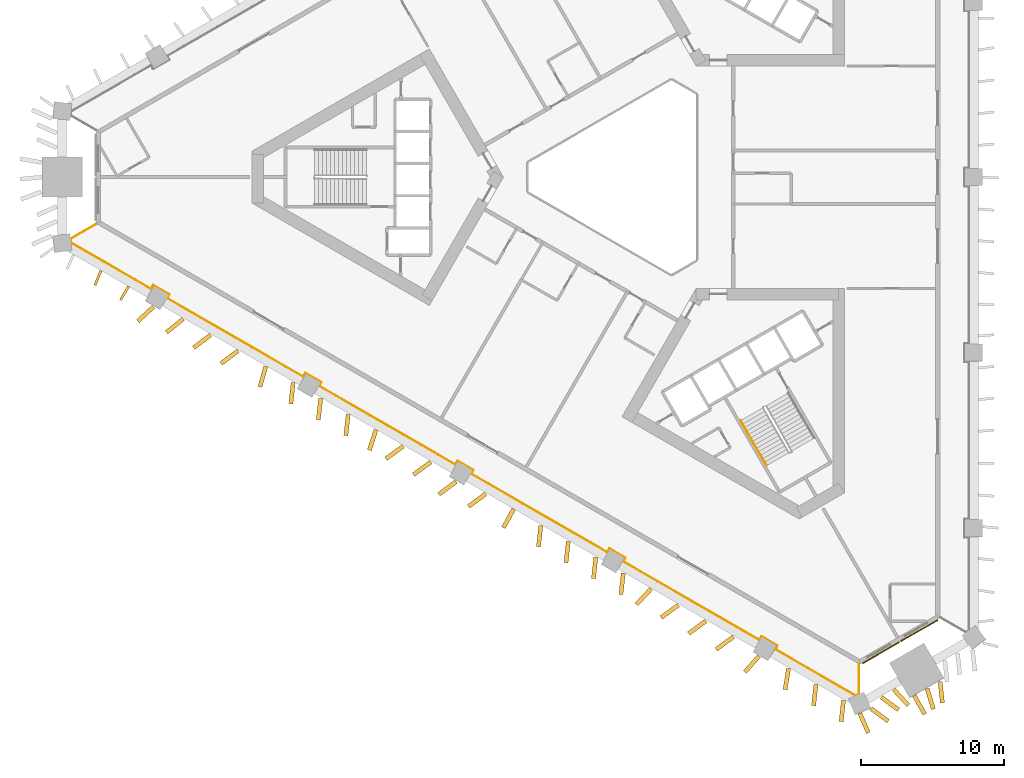
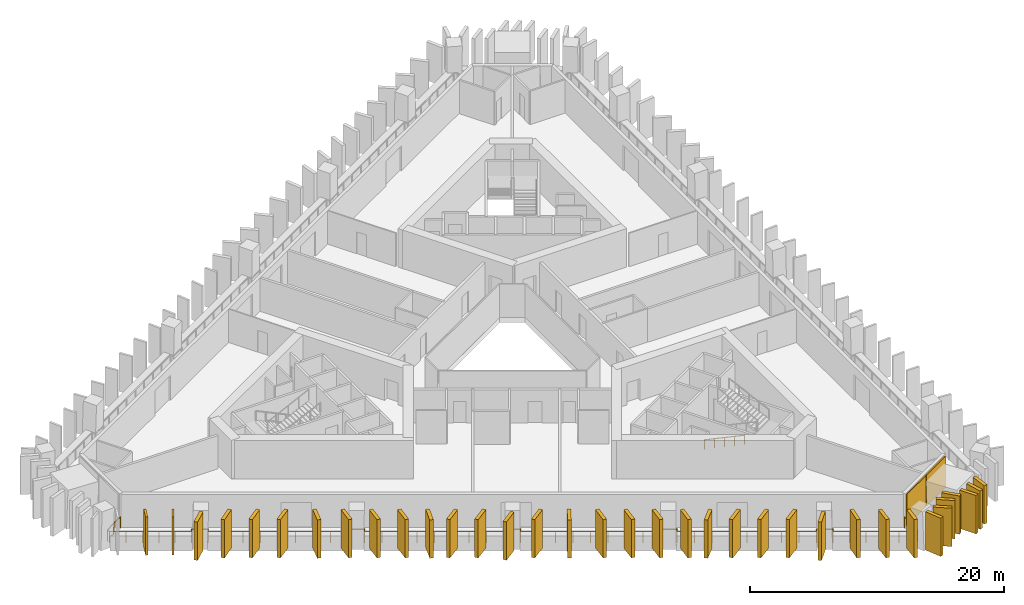
# One storey, part 7 of 10: 35 shading devices, 2 coverings, 2 railings.
"""IFC4 building model written with IfcOpenShell, lengths in metres."""

from ifc_helpers import new_model, si_unit, direction, frame, frame_2d, origin, origin_2d, place, context, subcontext, project, spatial, rectangle, circle, extrude, material, layer, layer_set, type_object, element, save


model = new_model("IFC4")

# Units and contexts
model_context = context("Model", 3, precision=1e-05, world=origin(), true_north=direction((0.0, 1.0)))
body_context = subcontext(model_context, "Body", "Model", "MODEL_VIEW")
ifc_project = project(units=[si_unit("LENGTHUNIT", "METRE"), si_unit("AREAUNIT", "SQUARE_METRE"), si_unit("VOLUMEUNIT", "CUBIC_METRE"), si_unit("PLANEANGLEUNIT", "RADIAN"), si_unit("MASSUNIT", "GRAM", prefix="KILO")], contexts=[model_context])

# Site, building, storey
site_placement = place(None, origin())
site = spatial("IfcSite", under=ifc_project, at=site_placement, CompositionType="ELEMENT")
building_placement = place(site_placement, origin())
building = spatial("IfcBuilding", under=site, at=building_placement, Name="Jabali Bay Hotel Tower and Convention Centre", CompositionType="ELEMENT")
storey_placement = place(building_placement, frame((0.0, 0.0, 33.699951171875)))
storey = spatial("IfcBuildingStorey", under=building, at=storey_placement, Name="L06", CompositionType="ELEMENT", Elevation=33.699951171875)

# Railing
ifc_material_1 = material(Name="Glass", Category="glass")
railing_type_1 = type_object("IfcRailingType", Name="Loggia glass guard 1100", PredefinedType="BALUSTRADE", material=ifc_material_1)
railing_1_placement = place(storey_placement, frame((90.915283203125, 45.840576171875, 0.0)))
element("IfcRailing", 1, at=railing_1_placement, inside=storey, type_object=railing_type_1, Name="Loggia glass guard L06", PredefinedType="BALUSTRADE", context=body_context, shape_type="SweptSolid", body=[
    extrude(circle(Radius=0.02490234375, at=origin_2d()), frame((0.0, 0.0, 1.0751953125), z_axis=(0.0, -1.0, 0.0), x_axis=(0.991444861374, 0.0, 0.13052619222)), (0.0, 0.0, 1.0), 2.055908203125),
    extrude(circle(Radius=0.02490234375, at=origin_2d()), frame((0.0, -2.055908203125, 1.0751953125), z_axis=(-0.918173029309, -0.396179616145, 0.0), x_axis=(0.392790244608, -0.910317931761, 0.13052619222)), (0.0, 0.0, 1.0), 0.273681640625),
    extrude(circle(Radius=0.02490234375, at=origin_2d()), frame((-0.251220703125, -2.164306640625, 1.0751953125), z_axis=(-0.866033038813, 0.499986775509, 0.0), x_axis=(-0.495709319334, -0.858624006111, 0.13052619222)), (0.0, 0.0, 1.0), 6.476318359375),
    extrude(circle(Radius=0.02490234375, at=origin_2d()), frame((-5.85986328125, 1.07373046875, 1.0751953125), z_axis=(0.500426713919, 0.865778900179, 0.0), x_axis=(-0.858372041669, 0.49614549401, 0.13052619222)), (0.0, 0.0, 1.0), 0.300048828125),
    extrude(circle(Radius=0.02490234375, at=origin_2d()), frame((-5.709716796875, 1.33349609375, 1.0751953125), z_axis=(-0.866085525409, 0.49989585183, 0.0), x_axis=(-0.495619173519, -0.858676043677, 0.13052619222)), (0.0, 0.0, 1.0), 1.300048828125),
    extrude(circle(Radius=0.02490234375, at=origin_2d()), frame((-6.835693359375, 1.9833984375, 1.0751953125), z_axis=(-0.499816412211, -0.866131372301, 0.0), x_axis=(0.858721498343, -0.495540413517, 0.13052619222)), (0.0, 0.0, 1.0), 0.2998046875),
    extrude(circle(Radius=0.02490234375, at=origin_2d()), frame((-6.985595703125, 1.7236328125, 1.0751953125), z_axis=(-0.866019274569, 0.500010615962, 0.0), x_axis=(-0.495732955827, -0.858610359623, 0.13052619222)), (0.0, 0.0, 1.0), 11.000732421875),
    extrude(circle(Radius=0.02490234375, at=origin_2d()), frame((-16.512451171875, 7.22412109375, 1.0751953125), z_axis=(0.500426713919, 0.865778900179, 0.0), x_axis=(-0.858372041669, 0.49614549401, 0.13052619222)), (0.0, 0.0, 1.0), 0.300048828125),
    extrude(circle(Radius=0.02490234375, at=origin_2d()), frame((-16.3623046875, 7.48388671875, 1.0751953125), z_axis=(-0.866085525409, 0.49989585183, 0.0), x_axis=(-0.495619173519, -0.858676043677, 0.13052619222)), (0.0, 0.0, 1.0), 1.300048828125),
    extrude(circle(Radius=0.02490234375, at=origin_2d()), frame((-17.48828125, 8.1337890625, 1.0751953125), z_axis=(-0.499816412211, -0.866131372301, 0.0), x_axis=(0.858721498343, -0.495540413517, 0.13052619222)), (0.0, 0.0, 1.0), 0.2998046875),
    extrude(circle(Radius=0.02490234375, at=origin_2d()), frame((-17.63818359375, 7.8740234375, 1.0751953125), z_axis=(-0.866028884548, 0.499993971093, 0.0), x_axis=(-0.495716453358, -0.858619887386, 0.13052619222)), (0.0, 0.0, 1.0), 11.000732421875),
    extrude(circle(Radius=0.02490234375, at=origin_2d()), frame((-27.1650390625, 13.374267578125, 1.0751953125), z_axis=(0.499816412211, 0.866131372301, 0.0), x_axis=(-0.858721498343, 0.495540413517, 0.13052619222)), (0.0, 0.0, 1.0), 0.2998046875),
    extrude(circle(Radius=0.02490234375, at=origin_2d()), frame((-27.01513671875, 13.634033203125, 1.0751953125), z_axis=(-0.86595725628, 0.500118016368, 0.0), x_axis=(-0.495839437409, -0.858548871908, 0.13052619222)), (0.0, 0.0, 1.0), 1.300048828125),
    extrude(circle(Radius=0.02490234375, at=origin_2d()), frame((-28.140869140625, 14.2841796875, 1.0751953125), z_axis=(-0.499816412211, -0.866131372301, 0.0), x_axis=(0.858721498343, -0.495540413517, 0.13052619222)), (0.0, 0.0, 1.0), 0.2998046875),
    extrude(circle(Radius=0.02490234375, at=origin_2d()), frame((-28.290771484375, 14.0244140625, 1.0751953125), z_axis=(-0.866028884548, 0.499993971093, 0.0), x_axis=(-0.495716453358, -0.858619887386, 0.13052619222)), (0.0, 0.0, 1.0), 11.000732421875),
    extrude(circle(Radius=0.02490234375, at=origin_2d()), frame((-37.817626953125, 19.524658203125, 1.0751953125), z_axis=(0.499816412211, 0.866131372301, 0.0), x_axis=(-0.858721498343, 0.495540413517, 0.13052619222)), (0.0, 0.0, 1.0), 0.2998046875),
    extrude(circle(Radius=0.02490234375, at=origin_2d()), frame((-37.667724609375, 19.784423828125, 1.0751953125), z_axis=(-0.86603858612, 0.49997716683, 0.0), x_axis=(-0.495699792858, -0.85862950596, 0.13052619222)), (0.0, 0.0, 1.0), 1.2998046875),
    extrude(circle(Radius=0.02490234375, at=origin_2d()), frame((-38.79345703125, 20.434326171875, 1.0751953125), z_axis=(-0.500426713919, -0.865778900179, 0.0), x_axis=(0.858372041669, -0.49614549401, 0.13052619222)), (0.0, 0.0, 1.0), 0.300048828125),
    extrude(circle(Radius=0.02490234375, at=origin_2d()), frame((-38.943603515625, 20.174560546875, 1.0751953125), z_axis=(-0.866023336184, 0.500003581172, 0.0), x_axis=(-0.495725981221, -0.85861438649, 0.13052619222)), (0.0, 0.0, 1.0), 11.00048828125),
    extrude(circle(Radius=0.02490234375, at=origin_2d()), frame((-48.47021484375, 25.6748046875, 1.0751953125), z_axis=(0.499464218792, 0.866334516308, 0.0), x_axis=(-0.858922904424, 0.495191233161, 0.13052619222)), (0.0, 0.0, 1.0), 0.300048828125),
    extrude(circle(Radius=0.02490234375, at=origin_2d()), frame((-48.3203125, 25.934814453125, 1.0751953125), z_axis=(-0.86603858612, 0.49997716683, 0.0), x_axis=(-0.495699792858, -0.85862950596, 0.13052619222)), (0.0, 0.0, 1.0), 1.2998046875),
    extrude(circle(Radius=0.02490234375, at=origin_2d()), frame((-49.446044921875, 26.584716796875, 1.0751953125), z_axis=(-0.500426713919, -0.865778900179, 0.0), x_axis=(0.858372041669, -0.49614549401, 0.13052619222)), (0.0, 0.0, 1.0), 0.300048828125),
    extrude(circle(Radius=0.02490234375, at=origin_2d()), frame((-49.59619140625, 26.324951171875, 1.0751953125), z_axis=(-0.866023614384, 0.50000309932, 0.0), x_axis=(-0.495725503492, -0.858614662309, 0.13052619222)), (0.0, 0.0, 1.0), 6.47607421875),
    extrude(circle(Radius=0.02490234375, at=origin_2d()), frame((-55.20458984375, 29.56298828125, 1.0751953125), z_axis=(-0.115132230487, 0.993350174663, 0.0), x_axis=(-0.984851926214, -0.114147258294, 0.13052619222)), (0.0, 0.0, 1.0), 0.2734375),
    extrude(circle(Radius=0.02490234375, at=origin_2d()), frame((-55.236083984375, 29.834716796875, 1.0751953125), z_axis=(0.865975938727, 0.500085666207, 0.0), x_axis=(-0.495807364007, 0.858567394524, 0.13052619222)), (0.0, 0.0, 1.0), 2.055908203125),
    extrude(circle(Radius=0.02001953125, at=origin_2d()), origin(), (0.0, 0.0, 1.0), 1.050048828125),
    extrude(circle(Radius=0.02001953125, at=origin_2d()), frame((0.0, -1.02783203125, 0.0)), (0.0, 0.0, 1.0), 1.050048828125),
    extrude(circle(Radius=0.02001953125, at=origin_2d()), frame((0.0, -2.055908203125, 0.0)), (0.0, 0.0, 1.0), 1.050048828125),
    extrude(circle(Radius=0.02001953125, at=origin_2d()), frame((-0.251220703125, -2.164306640625, 0.0)), (0.0, 0.0, 1.0), 1.050048828125),
    extrude(circle(Radius=0.02001953125, at=origin_2d()), frame((-1.373046875, -1.5166015625, 0.0)), (0.0, 0.0, 1.0), 1.050048828125),
    extrude(circle(Radius=0.02001953125, at=origin_2d()), frame((-2.49462890625, -0.869140625, 0.0)), (0.0, 0.0, 1.0), 1.050048828125),
    extrude(circle(Radius=0.02001953125, at=origin_2d()), frame((-3.616455078125, -0.221435546875, 0.0)), (0.0, 0.0, 1.0), 1.050048828125),
    extrude(circle(Radius=0.02001953125, at=origin_2d()), frame((-4.738037109375, 0.426025390625, 0.0)), (0.0, 0.0, 1.0), 1.050048828125),
    extrude(circle(Radius=0.02001953125, at=origin_2d()), frame((-5.85986328125, 1.07373046875, 0.0)), (0.0, 0.0, 1.0), 1.050048828125),
    extrude(circle(Radius=0.02001953125, at=origin_2d()), frame((-5.709716796875, 1.33349609375, 0.0)), (0.0, 0.0, 1.0), 1.050048828125),
    extrude(circle(Radius=0.02001953125, at=origin_2d()), frame((-6.835693359375, 1.9833984375, 0.0)), (0.0, 0.0, 1.0), 1.050048828125),
    extrude(circle(Radius=0.02001953125, at=origin_2d()), frame((-6.985595703125, 1.7236328125, 0.0)), (0.0, 0.0, 1.0), 1.050048828125),
    extrude(circle(Radius=0.02001953125, at=origin_2d()), frame((-8.176513671875, 2.4111328125, 0.0)), (0.0, 0.0, 1.0), 1.050048828125),
    extrude(circle(Radius=0.02001953125, at=origin_2d()), frame((-9.3671875, 3.0986328125, 0.0)), (0.0, 0.0, 1.0), 1.050048828125),
    extrude(circle(Radius=0.02001953125, at=origin_2d()), frame((-10.55810546875, 3.786376953125, 0.0)), (0.0, 0.0, 1.0), 1.050048828125),
    extrude(circle(Radius=0.02001953125, at=origin_2d()), frame((-11.7490234375, 4.473876953125, 0.0)), (0.0, 0.0, 1.0), 1.050048828125),
    extrude(circle(Radius=0.02001953125, at=origin_2d()), frame((-12.93994140625, 5.161376953125, 0.0)), (0.0, 0.0, 1.0), 1.050048828125),
    extrude(circle(Radius=0.02001953125, at=origin_2d()), frame((-14.130859375, 5.84912109375, 0.0)), (0.0, 0.0, 1.0), 1.050048828125),
    extrude(circle(Radius=0.02001953125, at=origin_2d()), frame((-15.321533203125, 6.53662109375, 0.0)), (0.0, 0.0, 1.0), 1.050048828125),
    extrude(circle(Radius=0.02001953125, at=origin_2d()), frame((-16.512451171875, 7.22412109375, 0.0)), (0.0, 0.0, 1.0), 1.050048828125),
    extrude(circle(Radius=0.02001953125, at=origin_2d()), frame((-16.3623046875, 7.48388671875, 0.0)), (0.0, 0.0, 1.0), 1.050048828125),
    extrude(circle(Radius=0.02001953125, at=origin_2d()), frame((-17.48828125, 8.1337890625, 0.0)), (0.0, 0.0, 1.0), 1.050048828125),
    extrude(circle(Radius=0.02001953125, at=origin_2d()), frame((-17.63818359375, 7.8740234375, 0.0)), (0.0, 0.0, 1.0), 1.050048828125),
    extrude(circle(Radius=0.02001953125, at=origin_2d()), frame((-18.8291015625, 8.5615234375, 0.0)), (0.0, 0.0, 1.0), 1.050048828125),
    extrude(circle(Radius=0.02001953125, at=origin_2d()), frame((-20.02001953125, 9.2490234375, 0.0)), (0.0, 0.0, 1.0), 1.050048828125),
    extrude(circle(Radius=0.02001953125, at=origin_2d()), frame((-21.210693359375, 9.9365234375, 0.0)), (0.0, 0.0, 1.0), 1.050048828125),
    extrude(circle(Radius=0.02001953125, at=origin_2d()), frame((-22.401611328125, 10.6240234375, 0.0)), (0.0, 0.0, 1.0), 1.050048828125),
    extrude(circle(Radius=0.02001953125, at=origin_2d()), frame((-23.592529296875, 11.311767578125, 0.0)), (0.0, 0.0, 1.0), 1.050048828125),
    extrude(circle(Radius=0.02001953125, at=origin_2d()), frame((-24.783203125, 11.999267578125, 0.0)), (0.0, 0.0, 1.0), 1.050048828125),
    extrude(circle(Radius=0.02001953125, at=origin_2d()), frame((-25.97412109375, 12.686767578125, 0.0)), (0.0, 0.0, 1.0), 1.050048828125),
    extrude(circle(Radius=0.02001953125, at=origin_2d()), frame((-27.1650390625, 13.374267578125, 0.0)), (0.0, 0.0, 1.0), 1.050048828125),
    extrude(circle(Radius=0.02001953125, at=origin_2d()), frame((-27.01513671875, 13.634033203125, 0.0)), (0.0, 0.0, 1.0), 1.050048828125),
    extrude(circle(Radius=0.02001953125, at=origin_2d()), frame((-28.140869140625, 14.2841796875, 0.0)), (0.0, 0.0, 1.0), 1.050048828125),
    extrude(circle(Radius=0.02001953125, at=origin_2d()), frame((-28.290771484375, 14.0244140625, 0.0)), (0.0, 0.0, 1.0), 1.050048828125),
    extrude(circle(Radius=0.02001953125, at=origin_2d()), frame((-29.481689453125, 14.7119140625, 0.0)), (0.0, 0.0, 1.0), 1.050048828125),
    extrude(circle(Radius=0.02001953125, at=origin_2d()), frame((-30.67236328125, 15.3994140625, 0.0)), (0.0, 0.0, 1.0), 1.050048828125),
    extrude(circle(Radius=0.02001953125, at=origin_2d()), frame((-31.86328125, 16.0869140625, 0.0)), (0.0, 0.0, 1.0), 1.050048828125),
    extrude(circle(Radius=0.02001953125, at=origin_2d()), frame((-33.05419921875, 16.7744140625, 0.0)), (0.0, 0.0, 1.0), 1.050048828125),
    extrude(circle(Radius=0.02001953125, at=origin_2d()), frame((-34.2451171875, 17.462158203125, 0.0)), (0.0, 0.0, 1.0), 1.050048828125),
    extrude(circle(Radius=0.02001953125, at=origin_2d()), frame((-35.43603515625, 18.149658203125, 0.0)), (0.0, 0.0, 1.0), 1.050048828125),
    extrude(circle(Radius=0.02001953125, at=origin_2d()), frame((-36.626708984375, 18.837158203125, 0.0)), (0.0, 0.0, 1.0), 1.050048828125),
    extrude(circle(Radius=0.02001953125, at=origin_2d()), frame((-37.817626953125, 19.524658203125, 0.0)), (0.0, 0.0, 1.0), 1.050048828125),
    extrude(circle(Radius=0.02001953125, at=origin_2d()), frame((-37.667724609375, 19.784423828125, 0.0)), (0.0, 0.0, 1.0), 1.050048828125),
    extrude(circle(Radius=0.02001953125, at=origin_2d()), frame((-38.79345703125, 20.434326171875, 0.0)), (0.0, 0.0, 1.0), 1.050048828125),
    extrude(circle(Radius=0.02001953125, at=origin_2d()), frame((-38.943603515625, 20.174560546875, 0.0)), (0.0, 0.0, 1.0), 1.050048828125),
    extrude(circle(Radius=0.02001953125, at=origin_2d()), frame((-40.134521484375, 20.862060546875, 0.0)), (0.0, 0.0, 1.0), 1.050048828125),
    extrude(circle(Radius=0.02001953125, at=origin_2d()), frame((-41.3251953125, 21.549560546875, 0.0)), (0.0, 0.0, 1.0), 1.050048828125),
    extrude(circle(Radius=0.02001953125, at=origin_2d()), frame((-42.51611328125, 22.237060546875, 0.0)), (0.0, 0.0, 1.0), 1.050048828125),
    extrude(circle(Radius=0.02001953125, at=origin_2d()), frame((-43.70703125, 22.9248046875, 0.0)), (0.0, 0.0, 1.0), 1.050048828125),
    extrude(circle(Radius=0.02001953125, at=origin_2d()), frame((-44.897705078125, 23.6123046875, 0.0)), (0.0, 0.0, 1.0), 1.050048828125),
    extrude(circle(Radius=0.02001953125, at=origin_2d()), frame((-46.088623046875, 24.2998046875, 0.0)), (0.0, 0.0, 1.0), 1.050048828125),
    extrude(circle(Radius=0.02001953125, at=origin_2d()), frame((-47.279296875, 24.9873046875, 0.0)), (0.0, 0.0, 1.0), 1.050048828125),
    extrude(circle(Radius=0.02001953125, at=origin_2d()), frame((-48.47021484375, 25.6748046875, 0.0)), (0.0, 0.0, 1.0), 1.050048828125),
    extrude(circle(Radius=0.02001953125, at=origin_2d()), frame((-48.3203125, 25.934814453125, 0.0)), (0.0, 0.0, 1.0), 1.050048828125),
    extrude(circle(Radius=0.02001953125, at=origin_2d()), frame((-49.446044921875, 26.584716796875, 0.0)), (0.0, 0.0, 1.0), 1.050048828125),
    extrude(circle(Radius=0.02001953125, at=origin_2d()), frame((-49.59619140625, 26.324951171875, 0.0)), (0.0, 0.0, 1.0), 1.050048828125),
    extrude(circle(Radius=0.02001953125, at=origin_2d()), frame((-50.7177734375, 26.97265625, 0.0)), (0.0, 0.0, 1.0), 1.050048828125),
    extrude(circle(Radius=0.02001953125, at=origin_2d()), frame((-51.839599609375, 27.6201171875, 0.0)), (0.0, 0.0, 1.0), 1.050048828125),
    extrude(circle(Radius=0.02001953125, at=origin_2d()), frame((-52.961181640625, 28.267822265625, 0.0)), (0.0, 0.0, 1.0), 1.050048828125),
    extrude(circle(Radius=0.02001953125, at=origin_2d()), frame((-54.0830078125, 28.915283203125, 0.0)), (0.0, 0.0, 1.0), 1.050048828125),
    extrude(circle(Radius=0.02001953125, at=origin_2d()), frame((-55.20458984375, 29.56298828125, 0.0)), (0.0, 0.0, 1.0), 1.050048828125),
    extrude(circle(Radius=0.02001953125, at=origin_2d()), frame((-55.236083984375, 29.834716796875, 0.0)), (0.0, 0.0, 1.0), 1.050048828125),
    extrude(circle(Radius=0.02001953125, at=origin_2d()), frame((-54.345947265625, 30.3486328125, 0.0)), (0.0, 0.0, 1.0), 1.050048828125),
    extrude(circle(Radius=0.02001953125, at=origin_2d()), frame((-53.455810546875, 30.86279296875, 0.0)), (0.0, 0.0, 1.0), 1.050048828125),
])

# Shading devices
ifc_material_2 = material(Name="Precast concrete C60", Category="concrete")
ifc_layer_1 = layer(ifc_material_2, 0.179931640625)
ifc_layer_set_1 = layer_set([ifc_layer_1], Name="Precast concrete C60")
shading_device_type_1 = type_object("IfcShadingDeviceType", Name="Precast fin 3680 x 1100", PredefinedType="USERDEFINED", material=ifc_layer_set_1)
shading_device_1_placement = place(storey_placement, frame((37.798828125, 73.442138671875, 0.010009765625), z_axis=(0.0, 0.0, 1.0), x_axis=(-0.37884023588, -0.92546208765, 0.0)))
element("IfcShadingDevice", 2, at=shading_device_1_placement, inside=storey, type_object=shading_device_type_1, Name="Fin L06 077", ObjectType="FIN", PredefinedType="USERDEFINED", context=body_context, shape_type="SweptSolid", body=[
    extrude(rectangle(XDim=1.10009765625, YDim=0.179931640625, at=frame_2d((0.550048828125, 0.0))), origin(), (0.0, 0.0, 1.0), 3.679931640625),
])
shading_device_2_placement = place(storey_placement, frame((39.732177734375, 72.338623046875, 0.010009765625), z_axis=(0.0, 0.0, 1.0), x_axis=(-0.509656352201, -0.860378057984, 0.0)))
element("IfcShadingDevice", 3, at=shading_device_2_placement, inside=storey, type_object=shading_device_type_1, Name="Fin L06 078", ObjectType="FIN", PredefinedType="USERDEFINED", context=body_context, shape_type="SweptSolid", body=[
    extrude(rectangle(XDim=1.099853515625, YDim=0.179931640625, at=frame_2d((0.5498046875, 0.0))), origin(), (0.0, 0.0, 1.0), 3.679931640625),
])
ifc_layer_2 = layer(ifc_material_2, 0.300048828125)
ifc_layer_set_2 = layer_set([ifc_layer_2], Name="Precast concrete C60")
shading_device_type_2 = type_object("IfcShadingDeviceType", Name="Precast fin 3680 x 1500", PredefinedType="USERDEFINED", material=ifc_layer_set_2)
shading_device_3_placement = place(storey_placement, frame((41.48486328125, 70.922119140625, 0.010009765625), z_axis=(0.0, 0.0, 1.0), x_axis=(-0.732747114371, -0.68050104069, 0.0)))
element("IfcShadingDevice", 4, at=shading_device_3_placement, inside=storey, type_object=shading_device_type_2, Name="Fin L06 079", ObjectType="FIN", PredefinedType="USERDEFINED", context=body_context, shape_type="SweptSolid", body=[
    extrude(rectangle(XDim=1.5, YDim=0.300048828125, at=frame_2d((0.75, 0.0))), origin(), (0.0, 0.0, 1.0), 3.679931640625),
])
shading_device_4_placement = place(storey_placement, frame((43.561279296875, 70.066650390625, 0.010009765625), z_axis=(0.0, 0.0, 1.0), x_axis=(-0.778736236897, -0.627351475126, 0.0)))
element("IfcShadingDevice", 5, at=shading_device_4_placement, inside=storey, type_object=shading_device_type_2, Name="Fin L06 080", ObjectType="FIN", PredefinedType="USERDEFINED", context=body_context, shape_type="SweptSolid", body=[
    extrude(rectangle(XDim=1.499755859375, YDim=0.300048828125, at=frame_2d((0.75, 0.0))), origin(), (0.0, 0.0, 1.0), 3.679931640625),
])
shading_device_5_placement = place(storey_placement, frame((45.487060546875, 68.9501953125, 0.010009765625), z_axis=(0.0, 0.0, 1.0), x_axis=(-0.797414851211, -0.603431483325, 0.0)))
element("IfcShadingDevice", 6, at=shading_device_5_placement, inside=storey, type_object=shading_device_type_2, Name="Fin L06 081", ObjectType="FIN", PredefinedType="USERDEFINED", context=body_context, shape_type="SweptSolid", body=[
    extrude(rectangle(XDim=1.500244140625, YDim=0.300048828125, at=frame_2d((0.75, 0.0))), origin(), (0.0, 0.0, 1.0), 3.679931640625),
])
for number, where, z_axis, x_axis, name in (
    (7, (47.4140625, 67.8359375, 0.010009765625), (0.0, 0.0, 1.0), (-0.803346674777, -0.595511645666, 0.0), "Fin L06 082"),
    (8, (49.353515625, 66.742919921875, 0.010009765625), (0.0, 0.0, 1.0), (-0.274420154536, -0.961609889084, 0.0), "Fin L06 083"),
):
    element("IfcShadingDevice", number, at=place(storey_placement, frame(where, z_axis=z_axis, x_axis=x_axis)), inside=storey, type_object=shading_device_type_2, Name=name, ObjectType="FIN", PredefinedType="USERDEFINED", context=body_context, shape_type="SweptSolid", body=[
        extrude(rectangle(XDim=1.5, YDim=0.300048828125, at=frame_2d((0.75, 0.0))), origin(), (0.0, 0.0, 1.0), 3.679931640625),
    ])
for number, where, z_axis, x_axis, name in (
    (9, (51.269287109375, 65.609375, 0.010009765625), (0.0, 0.0, 1.0), (-0.110199269672, -0.993909513469, 0.0), "Fin L06 084"),
    (10, (53.197021484375, 64.496337890625, 0.010009765625), (0.0, 0.0, 1.0), (-0.1100384662, -0.993927329314, 0.0), "Fin L06 085"),
    (11, (55.125, 63.38330078125, 0.010009765625), (0.0, 0.0, 1.0), (-0.1100384662, -0.993927329314, 0.0), "Fin L06 086"),
):
    element("IfcShadingDevice", number, at=place(storey_placement, frame(where, z_axis=z_axis, x_axis=x_axis)), inside=storey, type_object=shading_device_type_2, Name=name, ObjectType="FIN", PredefinedType="USERDEFINED", context=body_context, shape_type="SweptSolid", body=[
        extrude(rectangle(XDim=1.499755859375, YDim=0.300048828125, at=frame_2d((0.75, 0.0))), origin(), (0.0, 0.0, 1.0), 3.679931640625),
    ])
for number, where, z_axis, x_axis, name in (
    (12, (57.067138671875, 62.29541015625, 0.010009765625), (0.0, 0.0, 1.0), (-0.307620936142, -0.951508990839, 0.0), "Fin L06 087"),
    (13, (58.98046875, 61.157470703125, 0.010009765625), (0.0, 0.0, 1.0), (-0.805762938582, -0.592238201071, 0.0), "Fin L06 088"),
    (14, (60.908203125, 60.04443359375, 0.010009765625), (0.0, 0.0, 1.0), (-0.805762938582, -0.592238201071, 0.0), "Fin L06 089"),
    (15, (62.682373046875, 58.6650390625, 0.010009765625), (0.0, 0.0, 1.0), (-0.805840602837, -0.592132521333, 0.0), "Fin L06 090"),
    (16, (64.763916015625, 57.818359375, 0.010009765625), (0.0, 0.0, 1.0), (-0.805840602837, -0.592132521333, 0.0), "Fin L06 091"),
):
    element("IfcShadingDevice", number, at=place(storey_placement, frame(where, z_axis=z_axis, x_axis=x_axis)), inside=storey, type_object=shading_device_type_2, Name=name, ObjectType="FIN", PredefinedType="USERDEFINED", context=body_context, shape_type="SweptSolid", body=[
        extrude(rectangle(XDim=1.5, YDim=0.300048828125, at=frame_2d((0.75, 0.0))), origin(), (0.0, 0.0, 1.0), 3.679931640625),
    ])
shading_device_6_placement = place(storey_placement, frame((66.719970703125, 56.75439453125, 0.010009765625), z_axis=(0.0, 0.0, 1.0), x_axis=(-0.479536263877, -0.877522063327, 0.0)))
element("IfcShadingDevice", 17, at=shading_device_6_placement, inside=storey, type_object=shading_device_type_2, Name="Fin L06 092", ObjectType="FIN", PredefinedType="USERDEFINED", context=body_context, shape_type="SweptSolid", body=[
    extrude(rectangle(XDim=1.499755859375, YDim=0.300048828125, at=frame_2d((0.75, 0.0))), origin(), (0.0, 0.0, 1.0), 3.679931640625),
])
shading_device_7_placement = place(storey_placement, frame((68.619384765625, 55.59228515625, 0.010009765625), z_axis=(0.0, 0.0, 1.0), x_axis=(-0.110020665906, -0.993929299837, 0.0)))
element("IfcShadingDevice", 18, at=shading_device_7_placement, inside=storey, type_object=shading_device_type_2, Name="Fin L06 093", ObjectType="FIN", PredefinedType="USERDEFINED", context=body_context, shape_type="SweptSolid", body=[
    extrude(rectangle(XDim=1.5, YDim=0.300048828125, at=frame_2d((0.75, 0.0))), origin(), (0.0, 0.0, 1.0), 3.679931640625),
])
shading_device_8_placement = place(storey_placement, frame((70.547119140625, 54.479248046875, 0.010009765625), z_axis=(0.0, 0.0, 1.0), x_axis=(-0.109877654086, -0.993945119779, 0.0)))
element("IfcShadingDevice", 19, at=shading_device_8_placement, inside=storey, type_object=shading_device_type_2, Name="Fin L06 094", ObjectType="FIN", PredefinedType="USERDEFINED", context=body_context, shape_type="SweptSolid", body=[
    extrude(rectangle(XDim=1.499755859375, YDim=0.300048828125, at=frame_2d((0.75, 0.0))), origin(), (0.0, 0.0, 1.0), 3.679931640625),
])
for number, where, z_axis, x_axis, name in (
    (20, (72.474853515625, 53.366455078125, 0.010009765625), (0.0, 0.0, 1.0), (-0.10985987917, -0.993947084582, 0.0), "Fin L06 095"),
    (21, (74.4033203125, 52.254150390625, 0.010009765625), (0.0, 0.0, 1.0), (-0.117521194951, -0.993070374514, 0.0), "Fin L06 096"),
    (22, (76.343505859375, 51.1630859375, 0.010009765625), (0.0, 0.0, 1.0), (-0.683448280265, -0.729998937125, 0.0), "Fin L06 097"),
    (23, (78.25830078125, 50.02734375, 0.010009765625), (0.0, 0.0, 1.0), (-0.805840602837, -0.592132521333, 0.0), "Fin L06 098"),
    (24, (80.18603515625, 48.914306640625, 0.010009765625), (0.0, 0.0, 1.0), (-0.805840602837, -0.592132521333, 0.0), "Fin L06 099"),
    (25, (82.11376953125, 47.80126953125, 0.010009765625), (0.0, 0.0, 1.0), (-0.805840602837, -0.592132521333, 0.0), "Fin L06 100"),
):
    element("IfcShadingDevice", number, at=place(storey_placement, frame(where, z_axis=z_axis, x_axis=x_axis)), inside=storey, type_object=shading_device_type_2, Name=name, ObjectType="FIN", PredefinedType="USERDEFINED", context=body_context, shape_type="SweptSolid", body=[
        extrude(rectangle(XDim=1.5, YDim=0.300048828125, at=frame_2d((0.75, 0.0))), origin(), (0.0, 0.0, 1.0), 3.679931640625),
    ])
shading_device_9_placement = place(storey_placement, frame((83.9033203125, 46.44873046875, 0.010009765625), z_axis=(0.0, 0.0, 1.0), x_axis=(-0.660587537532, -0.750749029474, 0.0)))
element("IfcShadingDevice", 26, at=shading_device_9_placement, inside=storey, type_object=shading_device_type_2, Name="Fin L06 101", ObjectType="FIN", PredefinedType="USERDEFINED", context=body_context, shape_type="SweptSolid", body=[
    extrude(rectangle(XDim=1.500244140625, YDim=0.300048828125, at=frame_2d((0.75, 0.0))), origin(), (0.0, 0.0, 1.0), 3.679931640625),
])
for number, where, z_axis, x_axis, name in (
    (27, (85.972900390625, 45.581298828125, 0.010009765625), (0.0, 0.0, 1.0), (-0.159012400935, -0.987276585537, 0.0), "Fin L06 102"),
    (28, (87.897216796875, 44.46240234375, 0.010009765625), (0.0, 0.0, 1.0), (-0.110181444005, -0.99391148972, 0.0), "Fin L06 103"),
    (29, (89.824951171875, 43.349365234375, 0.010009765625), (0.0, 0.0, 1.0), (-0.110520850646, -0.993873805658, 0.0), "Fin L06 104"),
    (30, (91.745361328125, 42.774658203125, 0.010009765625), (0.0, 0.0, 1.0), (0.805762938582, -0.592238201071, 0.0), "Fin L06 105"),
    (31, (92.4736328125, 43.568359375, 0.010009765625), (0.0, 0.0, 1.0), (0.805840602837, -0.592132521333, 0.0), "Fin L06 106"),
    (32, (93.349853515625, 44.1064453125, 0.010009765625), (0.0, 0.0, 1.0), (0.674824924291, -0.737977859801, 0.0), "Fin L06 107"),
):
    element("IfcShadingDevice", number, at=place(storey_placement, frame(where, z_axis=z_axis, x_axis=x_axis)), inside=storey, type_object=shading_device_type_2, Name=name, ObjectType="FIN", PredefinedType="USERDEFINED", context=body_context, shape_type="SweptSolid", body=[
        extrude(rectangle(XDim=1.5, YDim=0.300048828125, at=frame_2d((0.75, 0.0))), origin(), (0.0, 0.0, 1.0), 3.679931640625),
    ])
shading_device_10_placement = place(storey_placement, frame((94.78076171875, 43.683349609375, 0.010009765625), z_axis=(0.0, 0.0, 1.0), x_axis=(0.489797471757, -0.871836244177, 0.0)))
element("IfcShadingDevice", 33, at=shading_device_10_placement, inside=storey, type_object=shading_device_type_2, Name="Fin L06 108", ObjectType="FIN", PredefinedType="USERDEFINED", context=body_context, shape_type="SweptSolid", body=[
    extrude(rectangle(XDim=1.499755859375, YDim=0.300048828125, at=frame_2d((0.75, 0.0))), origin(), (0.0, 0.0, 1.0), 3.679931640625),
])
shading_device_11_placement = place(storey_placement, frame((95.68701171875, 44.1689453125, 0.010009765625), z_axis=(0.0, 0.0, 1.0), x_axis=(0.287765966406, -0.9577007615, 0.0)))
element("IfcShadingDevice", 34, at=shading_device_11_placement, inside=storey, type_object=shading_device_type_2, Name="Fin L06 109", ObjectType="FIN", PredefinedType="USERDEFINED", context=body_context, shape_type="SweptSolid", body=[
    extrude(rectangle(XDim=1.5, YDim=0.300048828125, at=frame_2d((0.75, 0.0))), origin(), (0.0, 0.0, 1.0), 3.679931640625),
])
shading_device_12_placement = place(storey_placement, frame((96.58984375, 44.660400390625, 0.010009765625), z_axis=(0.0, 0.0, 1.0), x_axis=(0.1100384662, -0.993927329314, 0.0)))
element("IfcShadingDevice", 35, at=shading_device_12_placement, inside=storey, type_object=shading_device_type_2, Name="Fin L06 110", ObjectType="FIN", PredefinedType="USERDEFINED", context=body_context, shape_type="SweptSolid", body=[
    extrude(rectangle(XDim=1.499755859375, YDim=0.300048828125, at=frame_2d((0.75, 0.0))), origin(), (0.0, 0.0, 1.0), 3.679931640625),
])
shading_device_13_placement = place(storey_placement, frame((90.965087890625, 42.4443359375, 0.010009765625), z_axis=(0.0, 0.0, 1.0), x_axis=(0.400665159412, -0.916224552189, 0.0)))
element("IfcShadingDevice", 36, at=shading_device_13_placement, inside=storey, type_object=shading_device_type_2, Name="Fin L06 119", ObjectType="FIN", PredefinedType="USERDEFINED", context=body_context, shape_type="SweptSolid", body=[
    extrude(rectangle(XDim=1.500244140625, YDim=0.300048828125, at=frame_2d((0.75, 0.0))), origin(), (0.0, 0.0, 1.0), 3.679931640625),
])

# Coverings
ifc_material_3 = material(Name="Precast concrete C40/50", Category="concrete")
ifc_layer_3 = layer(ifc_material_3, 0.080078125)
ifc_layer_set_3 = layer_set([ifc_layer_3], Name="Precast concrete C40/50")
covering_type = type_object("IfcCoveringType", Name="Relief panel 3000 x 3000", PredefinedType="CLADDING", material=ifc_layer_set_3)
for number, where, z_axis, x_axis, name in (
    (37, (95.13330078125, 48.229736328125, 0.10009765625), (0.0, 0.0, 1.0), (-0.866025379184, -0.500000042609, 0.0), "Relief panel L06"),
    (38, (92.447265625, 46.678955078125, 0.10009765625), (0.0, 0.0, 1.0), (-0.866025379184, -0.500000042609, 0.0), "Relief panel L06"),
):
    element("IfcCovering", number, at=place(storey_placement, frame(where, z_axis=z_axis, x_axis=x_axis)), inside=storey, type_object=covering_type, Name=name, PredefinedType="CLADDING", context=body_context, shape_type="SweptSolid", body=[
        extrude(rectangle(XDim=3.0, YDim=0.080078125, at=origin_2d()), origin(), (0.0, 0.0, 1.0), 3.0),
    ])

# Railing
ifc_material_4 = material(Name="Steel Q355B", Category="steel")
railing_type_2 = type_object("IfcRailingType", Name="Stair handrail 900", PredefinedType="HANDRAIL", material=ifc_material_4)
railing_2_placement = place(storey_placement, frame((82.622802734375, 62.94677734375, 0.132080078125)))
element("IfcRailing", 39, at=railing_2_placement, inside=storey, type_object=railing_type_2, Name="L06 ST3 stair handrail 1", PredefinedType="HANDRAIL", context=body_context, shape_type="SweptSolid", body=[
    extrude(circle(Radius=0.02392578125, at=origin_2d()), frame((0.0, 0.0, 0.8759765625), z_axis=(0.45217862506, -0.783169739339, 0.426825081763), x_axis=(0.866018046521, 0.500012742938, 0.0)), (0.0, 0.0, 1.0), 4.025146484375),
    extrude(circle(Radius=0.02099609375, at=origin_2d()), origin(), (0.0, 0.0, 1.0), 0.851806640625),
    extrude(circle(Radius=0.02099609375, at=origin_2d()), frame((0.455078125, -0.7880859375, 0.429443359375)), (0.0, 0.0, 1.0), 0.851806640625),
    extrude(circle(Radius=0.02099609375, at=origin_2d()), frame((0.91015625, -1.576171875, 0.85888671875)), (0.0, 0.0, 1.0), 0.851806640625),
    extrude(circle(Radius=0.02099609375, at=origin_2d()), frame((1.364990234375, -2.3642578125, 1.28857421875)), (0.0, 0.0, 1.0), 0.851806640625),
    extrude(circle(Radius=0.02099609375, at=origin_2d()), frame((1.820068359375, -3.15234375, 1.718017578125)), (0.0, 0.0, 1.0), 0.851806640625),
])

save(model, "model.ifc")
